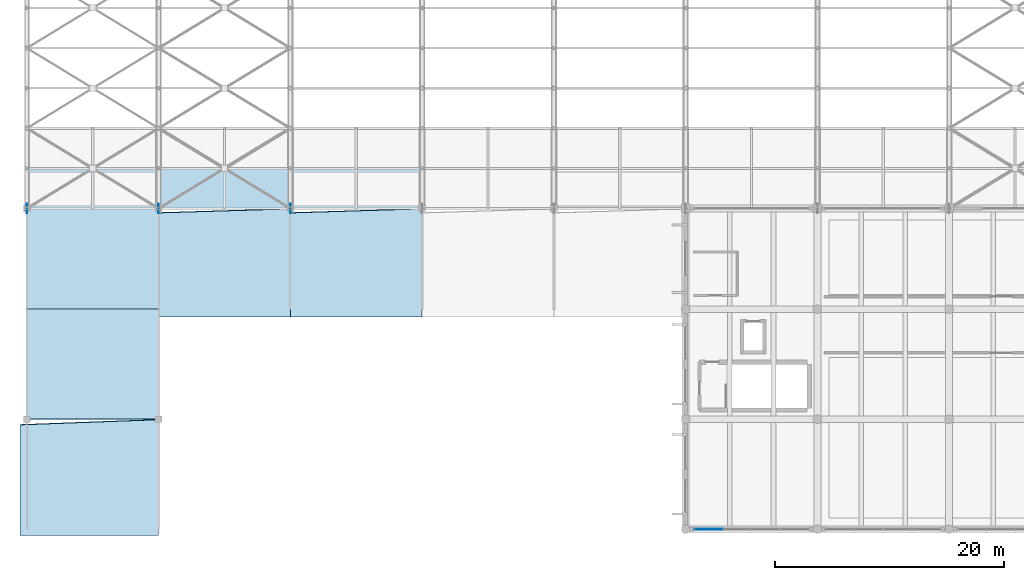
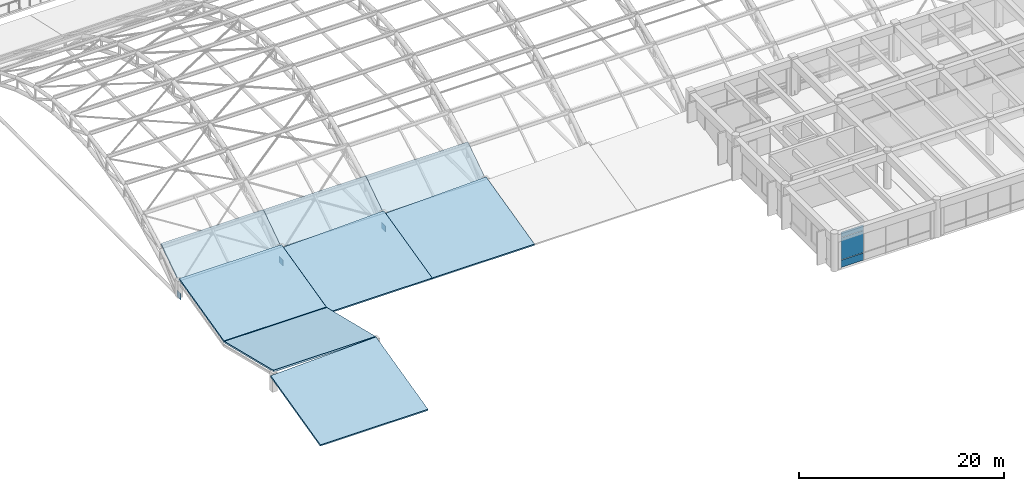
# One storey, part 122 of 154: 8 slabs, 6 plates, 1 element without a shape of its own.
"""IFC4 building model written with IfcOpenShell, lengths in metres."""

from ifc_helpers import new_model, si_unit, direction, frame, origin, origin_2d, place, context, subcontext, project, spatial, polyline, rectangle, outline, extrude, material, layer, layer_set, type_object, element, aggregate, save


model = new_model("IFC4")

# Units and contexts
model_context = context("Model", 3, precision=1e-05, world=origin(), true_north=direction((0.0, 1.0)))
body_context = subcontext(model_context, "Body", "Model", "MODEL_VIEW")
ifc_project = project(units=[si_unit("LENGTHUNIT", "METRE"), si_unit("AREAUNIT", "SQUARE_METRE"), si_unit("VOLUMEUNIT", "CUBIC_METRE"), si_unit("PLANEANGLEUNIT", "RADIAN"), si_unit("MASSUNIT", "GRAM", prefix="KILO")], contexts=[model_context])

# Site, building, storey
site_placement = place(None, origin())
site = spatial("IfcSite", under=ifc_project, at=site_placement, CompositionType="ELEMENT")
building_placement = place(site_placement, origin())
building = spatial("IfcBuilding", under=site, at=building_placement, Name="Ologun Quay Terminus", CompositionType="ELEMENT")
storey_placement = place(building_placement, frame((0.0, 0.0, 13.800048828125)))
storey = spatial("IfcBuildingStorey", under=building, at=storey_placement, Name="L03", CompositionType="ELEMENT", Elevation=13.800048828125)

# Curtain wall, plate
ifc_material_1 = material(Name="Aluminium 6063-T6", Category="aluminium")
curtain_wall_type = type_object("IfcCurtainWallType", Name="South Pavilion Reading Hall Curtain Wall 10700x4150", PredefinedType="USERDEFINED", material=ifc_material_1)
curtain_wall_placement = place(storey_placement, origin())
curtain_wall = element("IfcCurtainWall", 1, at=curtain_wall_placement, inside=storey, type_object=curtain_wall_type, Name="CW-06 Curtain Wall CW-L03-034", ObjectType="UNITISED CURTAIN WALL", PredefinedType="USERDEFINED")
ifc_material_2 = material(Name="Aluminium 6063-T6", Category="aluminium")
ifc_layer_1 = layer(ifc_material_2, 0.06005859375)
ifc_layer_set_1 = layer_set([ifc_layer_1], Name="Aluminium 6063-T6")
plate_type_1 = type_object("IfcPlateType", Name="Anodised Bronze Spandrel Panel 60", PredefinedType="CURTAIN_PANEL", material=ifc_layer_set_1)
plate_1_placement = place(storey_placement, frame((59.496337890625, 8.0, 0.02978515625), z_axis=(0.0, 0.0, 1.0), x_axis=(1.0, 0.0, 0.0)))
plate_1 = element("IfcPlate", 2, at=plate_1_placement, type_object=plate_type_1, Name="CW-L03-034 Panel B1-1", PredefinedType="CURTAIN_PANEL", context=body_context, shape_type="SweptSolid", body=[
    extrude(rectangle(XDim=2.50244140625, YDim=0.06005859375, at=origin_2d()), origin(), (0.0, 0.0, 1.0), 0.840087890625),
])

# Plates
ifc_material_3 = material(Name="Steel S355", Category="steel")
ifc_layer_2 = layer(ifc_material_3, 0.0400390625)
ifc_layer_set_2 = layer_set([ifc_layer_2], Name="Steel S355")
plate_type_2 = type_object("IfcPlateType", Name="Arch Springing Steel Gusset Plate 40", PredefinedType="SHEET", material=ifc_layer_set_2)
for number, where, z_axis, x_axis, name in (
    (3, (0.0, 36.0, -0.2001953125), (0.0, 0.0, 1.0), (0.0, 1.0, 0.0), "PL-GUS Arch Springing Gusset 1/E"),
    (4, (11.5, 36.0, -0.2001953125), (0.0, 0.0, 1.0), (0.0, 1.0, 0.0), "PL-GUS Arch Springing Gusset 2/E"),
    (5, (23.0, 36.0, -0.2001953125), (0.0, 0.0, 1.0), (0.0, 1.0, 0.0), "PL-GUS Arch Springing Gusset 3/E"),
):
    element("IfcPlate", number, at=place(storey_placement, frame(where, z_axis=z_axis, x_axis=x_axis)), inside=storey, type_object=plate_type_2, Name=name, PredefinedType="SHEET", context=body_context, shape_type="SweptSolid", body=[
        extrude(rectangle(XDim=0.800048828125, YDim=0.0400390625, at=origin_2d()), origin(), (0.0, 0.0, 1.0), 0.699951171875),
    ])

# Slabs
ifc_material_4 = material(Name="Concrete C40/50", Category="concrete")
ifc_layer_3 = layer(ifc_material_4, 0.199951171875)
ifc_layer_set_3 = layer_set([ifc_layer_3], Name="Concrete C40/50")
slab_type_1 = type_object("IfcSlabType", Name="Pitched Overhanging Concrete Roof Slab 200", PredefinedType="ROOF", material=ifc_layer_set_3)
slab_1_placement = place(storey_placement, frame((-0.60009765625, 7.43994140625, -0.130126953125), z_axis=(8.590484e-06, -0.237137437519, 0.971476111725), x_axis=(0.999999999963, 2.037125e-06, -8.34545e-06)))
element("IfcSlab", 6, at=slab_1_placement, inside=storey, type_object=slab_type_1, Name="SL-RF SW Anchor South Pitch Roof", PredefinedType="ROOF", context=body_context, shape_type="SweptSolid", body=[
    extrude(outline(polyline([(0.0, 0.0), (12.100097655803529, 0.0), (12.100097656696473, 10.417232514070665), (-8.929439298234151e-10, 9.954120897023312), (0.0, 0.0)])), origin(), (0.0, 0.0, -1.0), 0.199951171875),
])
slab_2_placement = place(storey_placement, frame((0.0, 17.639892578125, 2.340087890625), z_axis=(0.0, 0.237761778313, 0.971323497489), x_axis=(1.0, 0.0, 0.0)))
element("IfcSlab", 7, at=slab_2_placement, inside=storey, type_object=slab_type_1, Name="SL-RF SW Anchor Valley Pitch Roof", PredefinedType="ROOF", context=body_context, shape_type="SweptSolid", body=[
    extrude(outline(polyline([(0.0, 0.0), (11.5, 0.0), (11.5, 9.801080233170683), (0.0, 9.801080233170683), (0.0, 0.0)])), origin(), (0.0, 0.0, -1.0), 0.199951171875),
])
slab_3_placement = place(storey_placement, frame((0.0, 27.239990234375, 0.009765625), z_axis=(0.0, -0.237329328997, 0.971429250948), x_axis=(1.0, 0.0, 0.0)))
element("IfcSlab", 8, at=slab_3_placement, inside=storey, type_object=slab_type_1, Name="SL-RF SW Anchor North Pitch Roof", PredefinedType="ROOF", context=body_context, shape_type="SweptSolid", body=[
    extrude(outline(polyline([(0.0, 0.0), (11.5, 0.0), (11.5, 8.976434150621495), (0.0, 8.976434150621495), (0.0, 0.0)])), origin(), (0.0, 0.0, -1.0), 0.199951171875),
])
for number, where, z_axis, x_axis, name in (
    (9, (11.5, 26.5400390625, -0.140380859375), (9.69599e-06, -0.235309114893, 0.971920583358), (0.999999999953, 2.281555e-06, -9.423732e-06), "SL-RF SWL Forecourt Link Roof 1"),
    (10, (23.0, 26.5400390625, -0.140380859375), (9.69599e-06, -0.235309114893, 0.971920583358), (0.999999999953, 2.281555e-06, -9.423732e-06), "SL-RF SWL Forecourt Link Roof 2"),
):
    element("IfcSlab", number, at=place(storey_placement, frame(where, z_axis=z_axis, x_axis=x_axis)), inside=storey, type_object=slab_type_1, Name=name, PredefinedType="ROOF", context=body_context, shape_type="SweptSolid", body=[
        extrude(outline(polyline([(0.0, 0.0), (11.49999999945943, -4.870439446712227e-21), (11.50000000054057, 9.692042537195526), (-1.0811404935267774e-09, 9.332135518207789), (0.0, 0.0)])), origin(), (0.0, 0.0, -1.0), 0.199951171875),
    ])

# Plate
ifc_material_5 = material(Name="Glass", Category="glass")
ifc_layer_4 = layer(ifc_material_5, 0.028076171875)
ifc_layer_set_4 = layer_set([ifc_layer_4], Name="Glass")
plate_type_3 = type_object("IfcPlateType", Name="Solar-Control Double Glazed Panel 28", PredefinedType="CURTAIN_PANEL", material=ifc_layer_set_4)
plate_2_placement = place(storey_placement, frame((59.496337890625, 8.0, 0.929931640625), z_axis=(0.0, 0.0, 1.0), x_axis=(1.0, 0.0, 0.0)))
plate_2 = element("IfcPlate", 11, at=plate_2_placement, type_object=plate_type_3, Name="CW-L03-034 Panel B1-2", PredefinedType="CURTAIN_PANEL", context=body_context, shape_type="SweptSolid", body=[
    extrude(rectangle(XDim=2.50244140625, YDim=0.028076171875, at=origin_2d()), origin(), (0.0, 0.0, 1.0), 2.580078125),
])

plate_3_placement = place(storey_placement, frame((59.496337890625, 8.0, 3.56982421875), z_axis=(0.0, 0.0, 1.0), x_axis=(1.0, 0.0, 0.0)))
plate_3 = element("IfcPlate", 12, at=plate_3_placement, type_object=plate_type_3, Name="CW-L03-034 Panel B1-3", PredefinedType="CURTAIN_PANEL", context=body_context, shape_type="SweptSolid", body=[
    extrude(rectangle(XDim=2.50244140625, YDim=0.028076171875, at=origin_2d()), origin(), (0.0, 0.0, 1.0), 0.639892578125),
])

aggregate(curtain_wall, [plate_1, plate_2, plate_3])

# Slabs
ifc_material_6 = material(Name="Steel S355", Category="steel")
ifc_layer_5 = layer(ifc_material_6, 0.159912109375)
ifc_layer_set_5 = layer_set([ifc_layer_5], Name="Steel S355")
slab_type_2 = type_object("IfcSlabType", Name="Train Shed Barrel Roof Facet Slab 160", PredefinedType="ROOF", material=ifc_layer_set_5)
for number, where, z_axis, x_axis, name in (
    (13, (0.0, 36.0, 1.809814453125), (0.0, -0.55717065423, 0.830398014247), (1.0, 0.0, 0.0), "SL-SHD Train Shed Eave Roof Facet B1-P1"),
    (14, (11.5, 36.0, 1.809814453125), (0.0, -0.55717065423, 0.830398014247), (1.0, 0.0, 0.0), "SL-SHD Train Shed Eave Roof Facet B2-P1"),
    (15, (23.0, 36.0, 1.809814453125), (0.0, -0.55717065423, 0.830398014247), (1.0, 0.0, 0.0), "SL-SHD Train Shed Eave Roof Facet B3-P1"),
):
    element("IfcSlab", number, at=place(storey_placement, frame(where, z_axis=z_axis, x_axis=x_axis)), inside=storey, type_object=slab_type_2, Name=name, PredefinedType="ROOF", context=body_context, shape_type="SweptSolid", body=[
        extrude(outline(polyline([(0.0, 0.0), (11.5, 0.0), (11.5, 4.214846302558472), (0.0, 4.214846302558472), (0.0, 0.0)])), origin(), (0.0, 0.0, -1.0), 0.159912109375),
    ])

save(model, "model.ifc")
